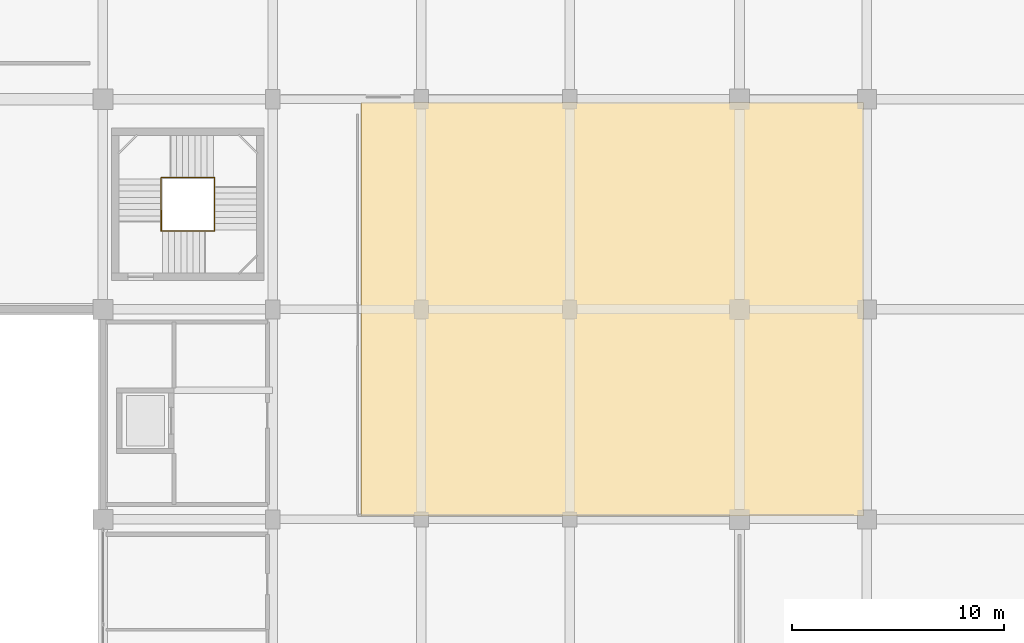
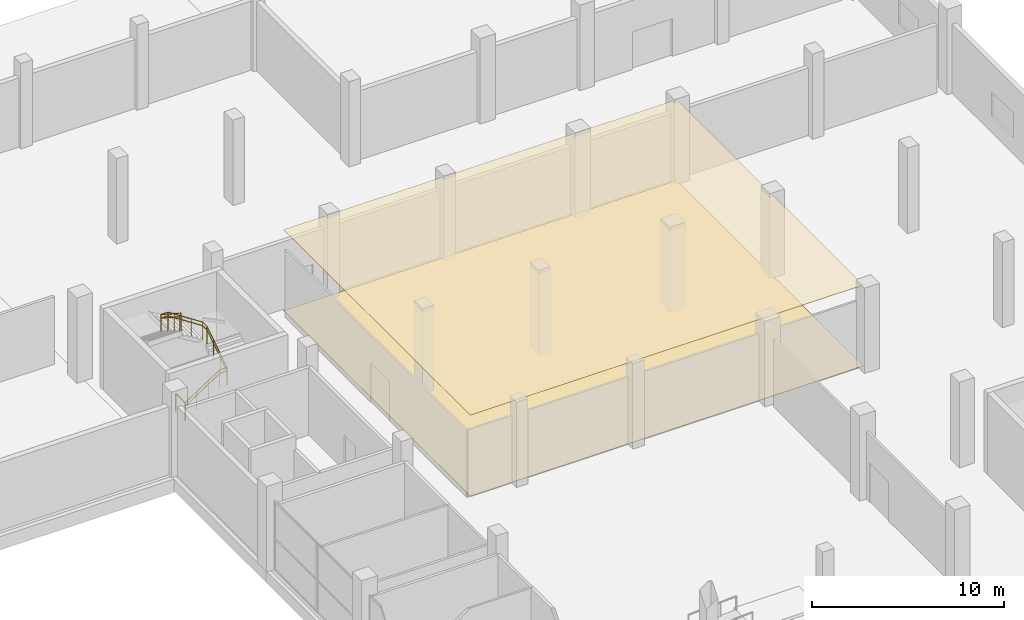
# One storey, part 48 of 50: 3 railings, 2 coverings.
"""IFC4 building model written with IfcOpenShell, lengths in metres."""

import ifcopenshell
import ifcopenshell.guid

model = None  # the IFC model being written
_history = None  # IfcOwnerHistory: only IFC2X3 demands one
_inside = {}  # id of a spatial element -> (the spatial element, [elements in it])
_under = {}  # id of a project, library or spatial element -> (it, [spatial elements below it])
_declared = {}  # id of a project -> (the project, [libraries it declares])
_typed = {}  # id of a type object -> (the type object, [elements of that type])
_made_of = {}  # id of a material, layer set ... -> (it, [elements and type objects made of it])


def new_model(schema):
    """Start an empty IFC model of exactly this schema.

    Asked for "IFC4X3", IfcOpenShell would pick the latest addendum, in which some entities
    have other attributes; the version numbers below select the first issue.
    IFC2X3 requires an IfcOwnerHistory on every rooted entity: one is made here for all.
    """
    global model, _history
    if schema == "IFC4X3":
        model = ifcopenshell.file(schema_version=(4, 3, 0, 0))
    else:
        model = ifcopenshell.file(schema=schema)
    _inside.clear()
    _under.clear()
    _declared.clear()
    _typed.clear()
    _made_of.clear()
    _history = None
    if model.schema == "IFC2X3":
        org = make("IfcOrganization", Name="unknown")
        user = make(
            "IfcPersonAndOrganization",
            ThePerson=make("IfcPerson", FamilyName="unknown"),
            TheOrganization=org,
        )
        app = make(
            "IfcApplication",
            ApplicationDeveloper=org,
            Version="unknown",
            ApplicationFullName="unknown",
            ApplicationIdentifier="unknown",
        )
        _history = make(
            "IfcOwnerHistory",
            OwningUser=user,
            OwningApplication=app,
            ChangeAction="ADDED",
            CreationDate=0,
        )
    return model


def make(cls, **values):
    """One entity of the class cls with the attributes given. An attribute that is None is left unset."""
    return model.create_entity(
        cls, **{name: value for name, value in values.items() if value is not None}
    )


def rooted(cls, **values):
    """An entity with a GlobalId (a new one), such as an element, a storey or a relation."""
    return make(cls, GlobalId=ifcopenshell.guid.new(), OwnerHistory=_history, **values)


def si_unit(unit_type, name, prefix=None):
    """IfcSIUnit, for example si_unit("LENGTHUNIT", "METRE", prefix="MILLI")."""
    return make("IfcSIUnit", UnitType=unit_type, Prefix=prefix, Name=name)


def assignment(units):
    """IfcUnitAssignment: the units of a project."""
    return None if units is None else make("IfcUnitAssignment", Units=units)


def point(xyz):
    """IfcCartesianPoint."""
    return None if xyz is None else make("IfcCartesianPoint", Coordinates=xyz)


def direction(xyz):
    """IfcDirection."""
    return None if xyz is None else make("IfcDirection", DirectionRatios=xyz)


def frame(location, z_axis=None, x_axis=None):
    """IfcAxis2Placement3D, a coordinate frame: its origin and axes. An axis left out is left unset."""
    return make(
        "IfcAxis2Placement3D",
        Location=point(location),
        Axis=direction(z_axis),
        RefDirection=direction(x_axis),
    )


def frame_2d(location, x_axis=None):
    """IfcAxis2Placement2D, a coordinate frame in the plane: its origin and x axis."""
    return make(
        "IfcAxis2Placement2D", Location=point(location), RefDirection=direction(x_axis)
    )


def origin():
    """The frame at (0, 0, 0) with its axes left unset."""
    return frame((0.0, 0.0, 0.0))


def origin_2d():
    """The frame at (0, 0) in the plane with its x axis left unset."""
    return frame_2d((0.0, 0.0))


def place(relative_to, where):
    """IfcLocalPlacement: puts the frame where relative to a parent placement (None: the world)."""
    return make(
        "IfcLocalPlacement", PlacementRelTo=relative_to, RelativePlacement=where
    )


def context(
    kind, dimensions, precision=None, world=None, true_north=None, identifier=None
):
    """IfcGeometricRepresentationContext, for example the 3D "Model" context."""
    return make(
        "IfcGeometricRepresentationContext",
        ContextIdentifier=identifier,
        ContextType=kind,
        CoordinateSpaceDimension=dimensions,
        Precision=precision,
        WorldCoordinateSystem=world,
        TrueNorth=true_north,
    )


def subcontext(parent, identifier, kind, view, scale=None):
    """IfcGeometricRepresentationSubContext, for example "Body" below "Model"."""
    return make(
        "IfcGeometricRepresentationSubContext",
        ContextIdentifier=identifier,
        ContextType=kind,
        ParentContext=parent,
        TargetScale=scale,
        TargetView=view,
    )


def project(units=None, contexts=None):
    """IfcProject with its units and contexts."""
    return rooted(
        "IfcProject",
        Name="project",
        RepresentationContexts=contexts,
        UnitsInContext=assignment(units),
    )


def spatial(cls, under=None, at=None, **own):
    """A site, building, storey or space (cls), placed at a placement, below another one or the project."""
    s = rooted(cls, ObjectPlacement=at, **own)
    if under is not None:
        _under.setdefault(under.id(), (under, []))[1].append(s)
    return s


def polyline(points):
    """IfcPolyline through the points."""
    return make("IfcPolyline", Points=[point(p) for p in points])


def profile(cls, at=None, kind="AREA", **sizes):
    """A parametric profile (cls). Its sizes go by their IFC names, for example OverallWidth=200.0."""
    return make(cls, ProfileType=kind, Position=at, **sizes)


def circle(**sizes):
    """IfcCircleProfileDef."""
    return profile("IfcCircleProfileDef", **sizes)


def outline(outer, holes=None, kind="AREA"):
    """IfcArbitraryClosedProfileDef: a profile drawn as a closed curve; with holes, ...WithVoids."""
    if holes is None:
        return make("IfcArbitraryClosedProfileDef", ProfileType=kind, OuterCurve=outer)
    return make(
        "IfcArbitraryProfileDefWithVoids",
        ProfileType=kind,
        OuterCurve=outer,
        InnerCurves=holes,
    )


def extrude(swept, where, along, depth):
    """IfcExtrudedAreaSolid: the profile swept, set in the frame where, extruded along a direction by depth."""
    return make(
        "IfcExtrudedAreaSolid",
        SweptArea=swept,
        Position=where,
        ExtrudedDirection=direction(along),
        Depth=depth,
    )


def shape(context_of_items, identifier, shape_type, items):
    """IfcShapeRepresentation: the items that make up one representation, for example the "Body"."""
    return make(
        "IfcShapeRepresentation",
        ContextOfItems=context_of_items,
        RepresentationIdentifier=identifier,
        RepresentationType=shape_type,
        Items=items,
    )


def material(Name=None, Category=None):
    """IfcMaterial."""
    return make("IfcMaterial", Name=Name, Category=Category)


def layer(
    of_material, thickness, ventilated=None, Name=None, Category=None, Priority=None
):
    """IfcMaterialLayer: one layer of a wall or slab, of a material (None: an air gap)."""
    return make(
        "IfcMaterialLayer",
        Material=of_material,
        LayerThickness=thickness,
        IsVentilated=ventilated,
        Name=Name,
        Category=Category,
        Priority=Priority,
    )


def layer_set(layers, Name=None):
    """IfcMaterialLayerSet."""
    return make("IfcMaterialLayerSet", MaterialLayers=layers, LayerSetName=Name)


def made_of(thing, what):
    """Note that an element or type object is made of a material, layer set ...; save() writes the relation."""
    if what is not None:
        _made_of.setdefault(what.id(), (what, []))[1].append(thing)
    return thing


def type_object(cls, material=None, **own):
    """A type object (cls), such as IfcWallType, which elements share."""
    return made_of(rooted(cls, **own), material)


def element(
    cls,
    number,
    at=None,
    inside=None,
    cuts=None,
    type_object=None,
    material=None,
    context=None,
    identifier="Body",
    shape_type=None,
    held_by="IfcProductDefinitionShape",
    body=None,
    shapes=None,
    **own,
):
    """One element of the class cls, such as IfcWall. Its Tag is "e" and its number.

    at: its placement. inside: the storey or other place that contains it. cuts: it is an
    opening in that element (IfcRelVoidsElement). A single representation is given by context,
    identifier, shape_type and body (its items); several are given by shapes. held_by: the class
    of the entity that holds the representations. save() writes the other relations.
    """
    e = rooted(cls, Tag="e%d" % number, ObjectPlacement=at, **own)
    if body is not None:
        shapes = [shape(context, identifier, shape_type, body)]
    if shapes is not None:
        e.Representation = make(held_by, Representations=shapes)
    if inside is not None:
        _inside.setdefault(inside.id(), (inside, []))[1].append(e)
    if cuts is not None:
        rooted(
            "IfcRelVoidsElement", RelatingBuildingElement=cuts, RelatedOpeningElement=e
        )
    if type_object is not None:
        _typed.setdefault(type_object.id(), (type_object, []))[1].append(e)
    return made_of(e, material)


def aggregate(whole, parts):
    """IfcRelAggregates: a whole, such as a stair, and the parts it consists of."""
    return rooted("IfcRelAggregates", RelatingObject=whole, RelatedObjects=parts)


def save(model, path):
    """Write the relations noted so far, then the file.

    IfcRelAggregates (storeys below a building ...), IfcRelContainedInSpatialStructure (elements
    in a storey), IfcRelDefinesByType, IfcRelAssociatesMaterial and IfcRelDeclares: one each for
    every whole, place, type object, material and project.
    """
    for whole, parts in _under.values():
        aggregate(whole, parts)
    for where, things in _inside.values():
        rooted(
            "IfcRelContainedInSpatialStructure",
            RelatedElements=things,
            RelatingStructure=where,
        )
    for kind, things in _typed.values():
        rooted("IfcRelDefinesByType", RelatedObjects=things, RelatingType=kind)
    for what, things in _made_of.values():
        rooted("IfcRelAssociatesMaterial", RelatedObjects=things, RelatingMaterial=what)
    for by, libraries in _declared.values():
        rooted("IfcRelDeclares", RelatingContext=by, RelatedDefinitions=libraries)
    model.write(path)


model = new_model("IFC4")

# Units and contexts
model_context = context("Model", 3, precision=1e-05, world=origin(), true_north=direction((0.0, 1.0)))
body_context = subcontext(model_context, "Body", "Model", "MODEL_VIEW")
ifc_project = project(units=[si_unit("LENGTHUNIT", "METRE"), si_unit("AREAUNIT", "SQUARE_METRE"), si_unit("VOLUMEUNIT", "CUBIC_METRE"), si_unit("PLANEANGLEUNIT", "RADIAN"), si_unit("MASSUNIT", "GRAM", prefix="KILO")], contexts=[model_context])

# Site, building, storey
site_placement = place(None, origin())
site = spatial("IfcSite", under=ifc_project, at=site_placement, CompositionType="ELEMENT")
building_placement = place(site_placement, origin())
building = spatial("IfcBuilding", under=site, at=building_placement, Name="Sillaruma Civic Art Gallery", CompositionType="ELEMENT")
storey_placement = place(building_placement, origin())
storey = spatial("IfcBuildingStorey", under=building, at=storey_placement, Name="L00", CompositionType="ELEMENT", Elevation=0.0)

# Coverings
ifc_material_1 = material(Name="Gypsum Acoustic Board", Category="gypsum")
ifc_layer_1 = layer(ifc_material_1, 0.030029296875, Name="Gypsum Acoustic Board")
ifc_layer_set_1 = layer_set([ifc_layer_1], Name="Gypsum Acoustic Board")
covering_type_1 = type_object("IfcCoveringType", Name="COV-CLG-30", PredefinedType="CEILING", material=ifc_layer_set_1)
covering_1_placement = place(storey_placement, frame((0.0, 0.0, 5.14990234375)))
element("IfcCovering", 1, at=covering_1_placement, inside=storey, type_object=covering_type_1, Name="Acoustic Gallery Ceiling (L00-GAL01)", PredefinedType="CEILING", context=body_context, shape_type="SweptSolid", body=[
    extrude(outline(polyline([(74.159912109375, 69.4599609375), (97.840087890625, 69.4599609375), (97.840087890625, 88.93994140625), (74.159912109375, 88.93994140625), (74.159912109375, 69.4599609375)])), origin(), (0.0, 0.0, 1.0), 0.030029296875),
])
ifc_material_2 = material(Name="Polished Terrazzo", Category="masonry")
ifc_layer_2 = layer(ifc_material_2, 0.02490234375, Name="Polished Terrazzo")
ifc_layer_set_2 = layer_set([ifc_layer_2], Name="Polished Terrazzo")
covering_type_2 = type_object("IfcCoveringType", Name="COV-FLR-25", PredefinedType="FLOORING", material=ifc_layer_set_2)
covering_2_placement = place(storey_placement, origin())
element("IfcCovering", 2, at=covering_2_placement, inside=storey, type_object=covering_type_2, Name="Gallery Stone Terrazzo Flooring (L00-GAL01)", PredefinedType="FLOORING", context=body_context, shape_type="SweptSolid", body=[
    extrude(outline(polyline([(74.159912109375, 69.4599609375), (97.840087890625, 69.4599609375), (97.840087890625, 88.93994140625), (74.159912109375, 88.93994140625), (74.159912109375, 69.4599609375)])), origin(), (0.0, 0.0, 1.0), 0.02490234375),
])

# Railings
ifc_material_3 = material(Name="Stainless Steel AISI 316", Category="steel")
railing_type_1 = type_object("IfcRailingType", Name="RAL-BAL-1150", PredefinedType="BALUSTRADE", material=ifc_material_3)
railing_1_placement = place(storey_placement, frame((64.739990234375, 82.889892578125, 0.0)))
element("IfcRailing", 3, at=railing_1_placement, inside=storey, type_object=railing_type_1, Name="Stair Floor Edge Guard (ST-02:L00)", PredefinedType="BALUSTRADE", context=body_context, shape_type="SweptSolid", body=[
    extrude(circle(Radius=0.02392578125, at=origin_2d()), frame((0.0, 0.0, 1.1259765625), z_axis=(0.0, 1.0, 0.0), x_axis=(-1.0, 0.0, 0.0)), (0.0, 0.0, 1.0), 0.97021484375),
    extrude(circle(Radius=0.02099609375, at=origin_2d()), origin(), (0.0, 0.0, 1.0), 1.101806640625),
    extrude(circle(Radius=0.02099609375, at=origin_2d()), frame((0.0, 0.97021484375, 0.0)), (0.0, 0.0, 1.0), 1.101806640625),
])
railing_2_placement = place(storey_placement, frame((64.739990234375, 82.889892578125, 0.0)))
element("IfcRailing", 4, at=railing_2_placement, inside=storey, type_object=railing_type_1, Name="Stair Well Balustrade (ST-02-L00)", PredefinedType="BALUSTRADE", context=body_context, shape_type="SweptSolid", body=[
    extrude(circle(Radius=0.02392578125, at=origin_2d()), frame((0.0, 0.0, 1.1259765625), z_axis=(0.838159424827, 0.0, 0.545425318971), x_axis=(0.0, 1.0, 0.0)), (0.0, 0.0, 1.0), 2.49365234375),
    extrude(circle(Radius=0.02392578125, at=origin_2d()), frame((2.090087890625, 0.0, 2.48583984375), z_axis=(1.0, 0.0, 0.0), x_axis=(0.0, 1.0, 0.0)), (0.0, 0.0, 1.0), 0.429931640625),
    extrude(circle(Radius=0.02392578125, at=origin_2d()), frame((2.52001953125, 0.0, 2.48583984375), z_axis=(0.0, 0.838204181713, 0.545356534534), x_axis=(-1.0, 0.0, 0.0)), (0.0, 0.0, 1.0), 2.49365234375),
    extrude(circle(Radius=0.02392578125, at=origin_2d()), frame((2.52001953125, 2.090087890625, 3.845703125), z_axis=(0.0, 1.0, 0.0), x_axis=(-1.0, 0.0, 0.0)), (0.0, 0.0, 1.0), 0.429931640625),
    extrude(circle(Radius=0.02392578125, at=origin_2d()), frame((2.52001953125, 2.52001953125, 3.845703125), z_axis=(-0.838159424827, 0.0, 0.545425318971), x_axis=(0.0, -1.0, 0.0)), (0.0, 0.0, 1.0), 2.49365234375),
    extrude(circle(Radius=0.02392578125, at=origin_2d()), frame((0.429931640625, 2.52001953125, 5.2060546875), z_axis=(-1.0, 0.0, 0.0), x_axis=(0.0, -1.0, 0.0)), (0.0, 0.0, 1.0), 0.429931640625),
    extrude(circle(Radius=0.02392578125, at=origin_2d()), frame((0.0, 2.52001953125, 5.2060546875), z_axis=(0.0, -0.838175058464, 0.545401293883), x_axis=(1.0, 0.0, 0.0)), (0.0, 0.0, 1.0), 2.493408203125),
    extrude(circle(Radius=0.02099609375, at=origin_2d()), origin(), (0.0, 0.0, 1.0), 1.101806640625),
    extrude(circle(Radius=0.02099609375, at=origin_2d()), frame((0.69677734375, 0.0, 0.453369140625)), (0.0, 0.0, 1.0), 1.101806640625),
    extrude(circle(Radius=0.02099609375, at=origin_2d()), frame((1.393310546875, 0.0, 0.90673828125)), (0.0, 0.0, 1.0), 1.101806640625),
    extrude(circle(Radius=0.02099609375, at=origin_2d()), frame((2.090087890625, 0.0, 1.360107421875)), (0.0, 0.0, 1.0), 1.101806640625),
    extrude(circle(Radius=0.02099609375, at=origin_2d()), frame((2.52001953125, 0.0, 1.360107421875)), (0.0, 0.0, 1.0), 1.101806640625),
    extrude(circle(Radius=0.02099609375, at=origin_2d()), frame((2.52001953125, 0.69677734375, 1.8134765625)), (0.0, 0.0, 1.0), 1.101806640625),
    extrude(circle(Radius=0.02099609375, at=origin_2d()), frame((2.52001953125, 1.393310546875, 2.2666015625)), (0.0, 0.0, 1.0), 1.101806640625),
    extrude(circle(Radius=0.02099609375, at=origin_2d()), frame((2.52001953125, 2.090087890625, 2.719970703125)), (0.0, 0.0, 1.0), 1.101806640625),
    extrude(circle(Radius=0.02099609375, at=origin_2d()), frame((2.52001953125, 2.52001953125, 2.719970703125)), (0.0, 0.0, 1.0), 1.101806640625),
    extrude(circle(Radius=0.02099609375, at=origin_2d()), frame((1.8232421875, 2.52001953125, 3.17333984375)), (0.0, 0.0, 1.0), 1.101806640625),
    extrude(circle(Radius=0.02099609375, at=origin_2d()), frame((1.126708984375, 2.52001953125, 3.626708984375)), (0.0, 0.0, 1.0), 1.101806640625),
    extrude(circle(Radius=0.02099609375, at=origin_2d()), frame((0.429931640625, 2.52001953125, 4.080078125)), (0.0, 0.0, 1.0), 1.101806640625),
    extrude(circle(Radius=0.02099609375, at=origin_2d()), frame((0.0, 2.52001953125, 4.080078125)), (0.0, 0.0, 1.0), 1.101806640625),
    extrude(circle(Radius=0.02099609375, at=origin_2d()), frame((0.0, 1.823486328125, 4.533447265625)), (0.0, 0.0, 1.0), 1.101806640625),
    extrude(circle(Radius=0.02099609375, at=origin_2d()), frame((0.0, 1.126708984375, 4.986572265625)), (0.0, 0.0, 1.0), 1.101806640625),
    extrude(circle(Radius=0.02099609375, at=origin_2d()), frame((0.0, 0.43017578125, 5.43994140625)), (0.0, 0.0, 1.0), 1.101806640625),
])
railing_type_2 = type_object("IfcRailingType", Name="RAL-HND-920", PredefinedType="HANDRAIL", material=ifc_material_3)
railing_3_placement = place(storey_placement, frame((64.739990234375, 82.889892578125, 0.0)))
element("IfcRailing", 5, at=railing_3_placement, inside=storey, type_object=railing_type_2, Name="Stair Continuous Handrail (ST-02-L00)", PredefinedType="HANDRAIL", context=body_context, shape_type="SweptSolid", body=[
    extrude(circle(Radius=0.02392578125, at=origin_2d()), frame((0.0, 0.0, 0.89599609375), z_axis=(0.838159424827, 0.0, 0.545425318971), x_axis=(0.0, 1.0, 0.0)), (0.0, 0.0, 1.0), 2.49365234375),
    extrude(circle(Radius=0.02392578125, at=origin_2d()), frame((2.090087890625, 0.0, 2.255859375), z_axis=(1.0, 0.0, 0.0), x_axis=(0.0, 1.0, 0.0)), (0.0, 0.0, 1.0), 0.429931640625),
    extrude(circle(Radius=0.02392578125, at=origin_2d()), frame((2.52001953125, 0.0, 2.255859375), z_axis=(0.0, 0.838204181713, 0.545356534534), x_axis=(-1.0, 0.0, 0.0)), (0.0, 0.0, 1.0), 2.49365234375),
    extrude(circle(Radius=0.02392578125, at=origin_2d()), frame((2.52001953125, 2.090087890625, 3.61572265625), z_axis=(0.0, 1.0, 0.0), x_axis=(-1.0, 0.0, 0.0)), (0.0, 0.0, 1.0), 0.429931640625),
    extrude(circle(Radius=0.02392578125, at=origin_2d()), frame((2.52001953125, 2.52001953125, 3.61572265625), z_axis=(-0.838159424827, 0.0, 0.545425318971), x_axis=(0.0, -1.0, 0.0)), (0.0, 0.0, 1.0), 2.49365234375),
    extrude(circle(Radius=0.02392578125, at=origin_2d()), frame((0.429931640625, 2.52001953125, 4.97607421875), z_axis=(-1.0, 0.0, 0.0), x_axis=(0.0, -1.0, 0.0)), (0.0, 0.0, 1.0), 0.429931640625),
    extrude(circle(Radius=0.02392578125, at=origin_2d()), frame((0.0, 2.52001953125, 4.97607421875), z_axis=(0.0, -0.838175058464, 0.545401293883), x_axis=(1.0, 0.0, 0.0)), (0.0, 0.0, 1.0), 2.493408203125),
    extrude(circle(Radius=0.02099609375, at=origin_2d()), origin(), (0.0, 0.0, 1.0), 0.871826171875),
    extrude(circle(Radius=0.02099609375, at=origin_2d()), frame((0.69677734375, 0.0, 0.453369140625)), (0.0, 0.0, 1.0), 0.871826171875),
    extrude(circle(Radius=0.02099609375, at=origin_2d()), frame((1.393310546875, 0.0, 0.90673828125)), (0.0, 0.0, 1.0), 0.871826171875),
    extrude(circle(Radius=0.02099609375, at=origin_2d()), frame((2.090087890625, 0.0, 1.360107421875)), (0.0, 0.0, 1.0), 0.871826171875),
    extrude(circle(Radius=0.02099609375, at=origin_2d()), frame((2.52001953125, 0.0, 1.360107421875)), (0.0, 0.0, 1.0), 0.871826171875),
    extrude(circle(Radius=0.02099609375, at=origin_2d()), frame((2.52001953125, 0.69677734375, 1.8134765625)), (0.0, 0.0, 1.0), 0.871826171875),
    extrude(circle(Radius=0.02099609375, at=origin_2d()), frame((2.52001953125, 1.393310546875, 2.2666015625)), (0.0, 0.0, 1.0), 0.871826171875),
    extrude(circle(Radius=0.02099609375, at=origin_2d()), frame((2.52001953125, 2.090087890625, 2.719970703125)), (0.0, 0.0, 1.0), 0.871826171875),
    extrude(circle(Radius=0.02099609375, at=origin_2d()), frame((2.52001953125, 2.52001953125, 2.719970703125)), (0.0, 0.0, 1.0), 0.871826171875),
    extrude(circle(Radius=0.02099609375, at=origin_2d()), frame((1.8232421875, 2.52001953125, 3.17333984375)), (0.0, 0.0, 1.0), 0.871826171875),
    extrude(circle(Radius=0.02099609375, at=origin_2d()), frame((1.126708984375, 2.52001953125, 3.626708984375)), (0.0, 0.0, 1.0), 0.871826171875),
    extrude(circle(Radius=0.02099609375, at=origin_2d()), frame((0.429931640625, 2.52001953125, 4.080078125)), (0.0, 0.0, 1.0), 0.871826171875),
    extrude(circle(Radius=0.02099609375, at=origin_2d()), frame((0.0, 2.52001953125, 4.080078125)), (0.0, 0.0, 1.0), 0.871826171875),
    extrude(circle(Radius=0.02099609375, at=origin_2d()), frame((0.0, 1.823486328125, 4.533447265625)), (0.0, 0.0, 1.0), 0.871826171875),
    extrude(circle(Radius=0.02099609375, at=origin_2d()), frame((0.0, 1.126708984375, 4.986572265625)), (0.0, 0.0, 1.0), 0.871826171875),
    extrude(circle(Radius=0.02099609375, at=origin_2d()), frame((0.0, 0.43017578125, 5.43994140625)), (0.0, 0.0, 1.0), 0.871826171875),
])

save(model, "model.ifc")
